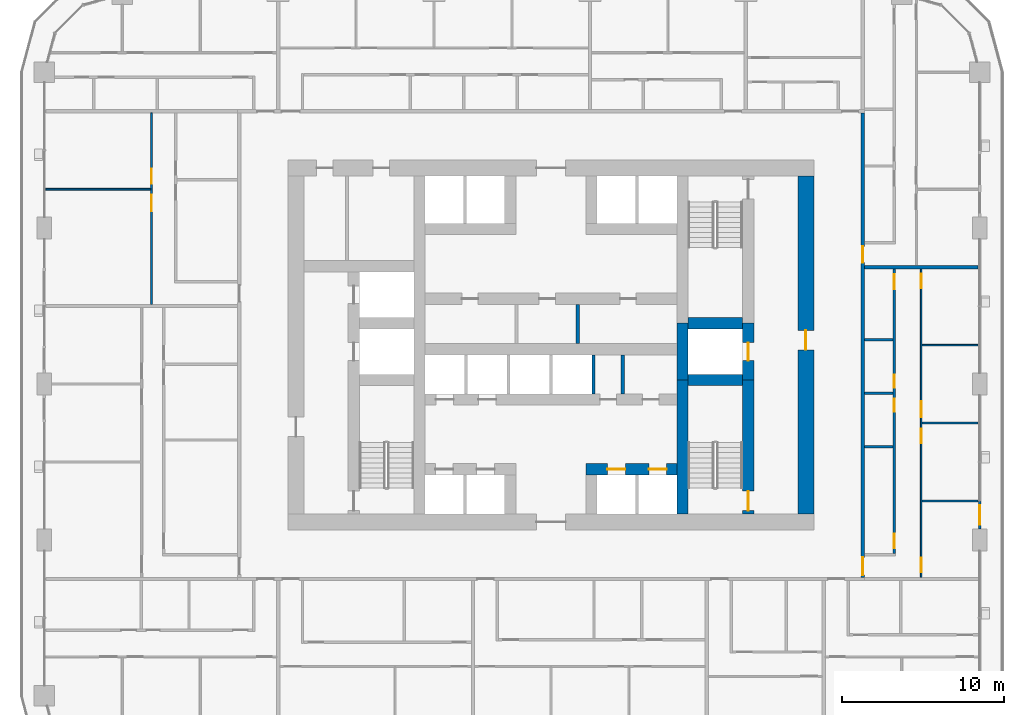
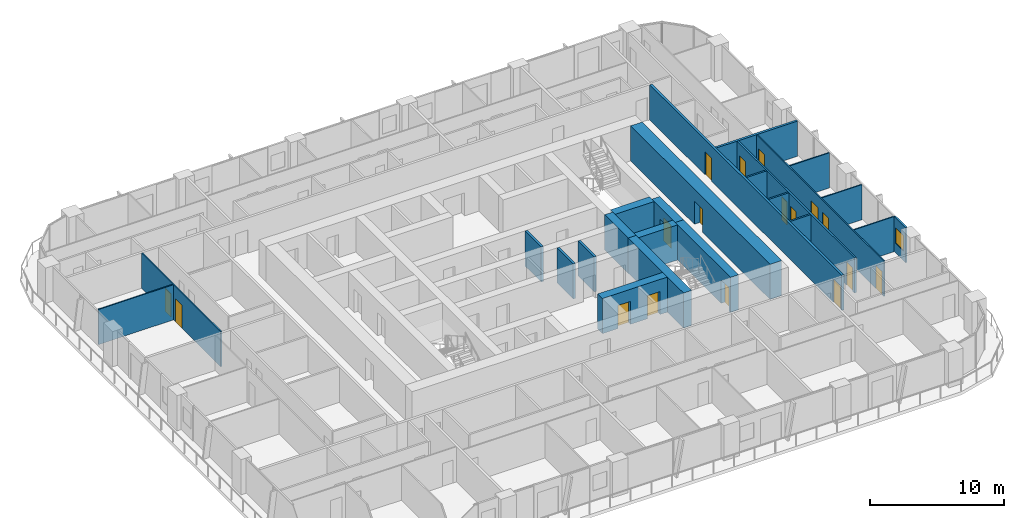
# One storey, part 12 of 21: 24 walls, 17 doors, 1 window, 18 openings.
"""IFC4 building model written with IfcOpenShell, lengths in metres."""

from ifc_helpers import new_model, si_unit, direction, frame, frame_2d, origin, place, context, subcontext, project, spatial, rectangle, extrude, material, layer, layer_set, type_object, element, fill, save


model = new_model("IFC4")

# Units and contexts
model_context = context("Model", 3, precision=1e-05, world=origin(), true_north=direction((0.0, 1.0)))
body_context = subcontext(model_context, "Body", "Model", "MODEL_VIEW")
ifc_project = project(units=[si_unit("LENGTHUNIT", "METRE"), si_unit("AREAUNIT", "SQUARE_METRE"), si_unit("VOLUMEUNIT", "CUBIC_METRE"), si_unit("PLANEANGLEUNIT", "RADIAN"), si_unit("MASSUNIT", "GRAM", prefix="KILO")], contexts=[model_context])

# Site, building, storey
site_placement = place(None, origin())
site = spatial("IfcSite", under=ifc_project, at=site_placement, CompositionType="ELEMENT")
building_placement = place(site_placement, origin())
building = spatial("IfcBuilding", under=site, at=building_placement, Name="Madar Terraces", CompositionType="ELEMENT")
storey_placement = place(building_placement, frame((0.0, 0.0, 32.89990234375)))
storey = spatial("IfcBuildingStorey", under=building, at=storey_placement, Name="L07", CompositionType="ELEMENT", Elevation=32.89990234375)

# Walls
ifc_material_1 = material(Name="Concrete C80/95", Category="concrete")
ifc_layer_1 = layer(ifc_material_1, 0.699951171875)
ifc_layer_set_1 = layer_set([ifc_layer_1], Name="Concrete C80/95 (CIW1 RC wall 700)")
wall_type_1 = type_object("IfcWallType", Name="CIW1 RC wall 700", PredefinedType="SHEAR", material=ifc_layer_set_1)
wall_1_placement = place(storey_placement, frame((39.300048828125, 16.0, 0.0), z_axis=(0.0, 0.0, 1.0), x_axis=(0.0, 1.0, 0.0)))
element("IfcWall", 1, at=wall_1_placement, inside=storey, type_object=wall_type_1, Name="CORE SHAFT WALL", PredefinedType="SHEAR", context=body_context, shape_type="SweptSolid", body=[
    extrude(rectangle(XDim=8.25, YDim=0.699951171875, at=frame_2d((4.125, 0.0))), origin(), (0.0, 0.0, 1.0), 3.2001953125),
])
wall_2_placement = place(storey_placement, frame((39.300048828125, 24.25, 0.0), z_axis=(0.0, 0.0, 1.0), x_axis=(0.0, 1.0, 0.0)))
element("IfcWall", 2, at=wall_2_placement, inside=storey, type_object=wall_type_1, Name="CORE SHAFT WALL", PredefinedType="SHEAR", context=body_context, shape_type="SweptSolid", body=[
    extrude(rectangle(XDim=3.5, YDim=0.699951171875, at=frame_2d((1.75, 0.0))), origin(), (0.0, 0.0, 1.0), 3.2001953125),
])

# Wall, opening, door
wall_3_placement = place(storey_placement, frame((43.35009765625, 16.0, 0.0), z_axis=(0.0, 0.0, 1.0), x_axis=(0.0, 1.0, 0.0)))
wall_3 = element("IfcWall", 3, at=wall_3_placement, inside=storey, type_object=wall_type_1, Name="CORE SHAFT WALL", PredefinedType="SHEAR", context=body_context, shape_type="SweptSolid", body=[
    extrude(rectangle(XDim=8.25, YDim=0.699951171875, at=frame_2d((4.125, 0.0))), origin(), (0.0, 0.0, 1.0), 3.2001953125),
])
opening_1_placement = place(wall_3_placement, frame((0.199951171875, 0.0, 0.0)))
opening_1 = element("IfcOpeningElement", 4, at=opening_1_placement, cuts=wall_3, Name="Opening SD1", PredefinedType="OPENING", context=body_context, shape_type="SweptSolid", body=[
    extrude(rectangle(XDim=1.199951171875, YDim=2.10009765625, at=frame_2d((0.60009765625, 1.050048828125))), frame((0.0, 0.35986328125, 0.0), z_axis=(0.0, -1.0, 0.0), x_axis=(1.0, 0.0, 0.0)), (0.0, 0.0, 1.0), 0.719970703125),
])
ifc_material_2 = material(Name="Steel door leaf", Category="steel")
door_type_1 = type_object("IfcDoorType", Name="Stair door 1200 x 2100", OperationType="NOTDEFINED", PredefinedType="DOOR", material=ifc_material_2)
door_1_placement = place(opening_1_placement, origin())
door_1 = element("IfcDoor", 5, at=door_1_placement, inside=storey, type_object=door_type_1, Name="STAIR DOOR", OperationType="SINGLE_SWING_RIGHT", OverallHeight=2.10009765625, OverallWidth=1.199951171875, PredefinedType="DOOR", context=body_context, shape_type="SweptSolid", body=[
    extrude(rectangle(XDim=1.199951171875, YDim=2.10009765625, at=frame_2d((0.60009765625, 1.050048828125))), frame((0.0, 0.02490234375, 0.0), z_axis=(0.0, -1.0, 0.0), x_axis=(1.0, 0.0, 0.0)), (0.0, 0.0, 1.0), 0.050048828125),
])
fill(opening_1, door_1)

wall_4_placement = place(storey_placement, frame((43.35009765625, 24.25, 0.0), z_axis=(0.0, 0.0, 1.0), x_axis=(0.0, 1.0, 0.0)))
wall_4 = element("IfcWall", 6, at=wall_4_placement, inside=storey, type_object=wall_type_1, Name="CORE SHAFT WALL", PredefinedType="SHEAR", context=body_context, shape_type="SweptSolid", body=[
    extrude(rectangle(XDim=3.5, YDim=0.699951171875, at=frame_2d((1.75, 0.0))), origin(), (0.0, 0.0, 1.0), 3.2001953125),
])
opening_2_placement = place(wall_4_placement, frame((1.199951171875, 0.0, 0.0)))
opening_2 = element("IfcOpeningElement", 7, at=opening_2_placement, cuts=wall_4, Name="Opening LD", PredefinedType="OPENING", context=body_context, shape_type="SweptSolid", body=[
    extrude(rectangle(XDim=1.10009765625, YDim=2.10009765625, at=frame_2d((0.550048828125, 1.050048828125))), frame((0.0, 0.35986328125, 0.0), z_axis=(0.0, -1.0, 0.0), x_axis=(1.0, 0.0, 0.0)), (0.0, 0.0, 1.0), 0.719970703125),
])
ifc_material_3 = material(Name="Stainless steel panel", Category="steel")
door_type_2 = type_object("IfcDoorType", Name="Lift landing door 1100 x 2100", OperationType="DOUBLE_DOOR_SLIDING", PredefinedType="DOOR", material=ifc_material_3)
door_2_placement = place(opening_2_placement, origin())
door_2 = element("IfcDoor", 8, at=door_2_placement, inside=storey, type_object=door_type_2, Name="LIFT LANDING DOOR", OperationType="DOUBLE_DOOR_SLIDING", OverallHeight=2.10009765625, OverallWidth=1.10009765625, PredefinedType="DOOR", context=body_context, shape_type="SweptSolid", body=[
    extrude(rectangle(XDim=1.10009765625, YDim=2.10009765625, at=frame_2d((0.550048828125, 1.050048828125))), frame((0.0, 0.02490234375, 0.0), z_axis=(0.0, -1.0, 0.0), x_axis=(1.0, 0.0, 0.0)), (0.0, 0.0, 1.0), 0.050048828125),
])
fill(opening_2, door_2)

# Walls
for number, where, z_axis, x_axis, name in (
    (9, (39.64990234375, 24.25, 0.0), (0.0, 0.0, 1.0), (1.0, 0.0, 0.0), "CORE SHAFT WALL"),
    (10, (39.64990234375, 27.75, 0.0), (0.0, 0.0, 1.0), (1.0, 0.0, 0.0), "CORE SHAFT WALL"),
):
    element("IfcWall", number, at=place(storey_placement, frame(where, z_axis=z_axis, x_axis=x_axis)), inside=storey, type_object=wall_type_1, Name=name, PredefinedType="SHEAR", context=body_context, shape_type="SweptSolid", body=[
        extrude(rectangle(XDim=3.35009765625, YDim=0.699951171875, at=frame_2d((1.675048828125, 0.0))), origin(), (0.0, 0.0, 1.0), 3.2001953125),
    ])

# Wall, openings, doors
wall_5_placement = place(storey_placement, frame((33.35009765625, 18.75, 0.0), z_axis=(0.0, 0.0, 1.0), x_axis=(1.0, 0.0, 0.0)))
wall_5 = element("IfcWall", 11, at=wall_5_placement, inside=storey, type_object=wall_type_1, Name="CORE SHAFT WALL", PredefinedType="SHEAR", context=body_context, shape_type="SweptSolid", body=[
    extrude(rectangle(XDim=5.599853515625, YDim=0.699951171875, at=frame_2d((2.7998046875, 0.0))), origin(), (0.0, 0.0, 1.0), 3.2001953125),
])
opening_3_placement = place(wall_5_placement, frame((1.324951171875, 0.0, 0.0)))
opening_3 = element("IfcOpeningElement", 12, at=opening_3_placement, cuts=wall_5, Name="Opening LD", PredefinedType="OPENING", context=body_context, shape_type="SweptSolid", body=[
    extrude(rectangle(XDim=1.10009765625, YDim=2.10009765625, at=frame_2d((0.550048828125, 1.050048828125))), frame((0.0, 0.35986328125, 0.0), z_axis=(0.0, -1.0, 0.0), x_axis=(1.0, 0.0, 0.0)), (0.0, 0.0, 1.0), 0.719970703125),
])
opening_4_placement = place(wall_5_placement, frame((3.875, 0.0, 0.0)))
opening_4 = element("IfcOpeningElement", 13, at=opening_4_placement, cuts=wall_5, Name="Opening LD", PredefinedType="OPENING", context=body_context, shape_type="SweptSolid", body=[
    extrude(rectangle(XDim=1.10009765625, YDim=2.10009765625, at=frame_2d((0.550048828125, 1.050048828125))), frame((0.0, 0.35986328125, 0.0), z_axis=(0.0, -1.0, 0.0), x_axis=(1.0, 0.0, 0.0)), (0.0, 0.0, 1.0), 0.719970703125),
])
door_3_placement = place(opening_3_placement, origin())
door_3 = element("IfcDoor", 14, at=door_3_placement, inside=storey, type_object=door_type_2, Name="LIFT LANDING DOOR", OperationType="DOUBLE_DOOR_SLIDING", OverallHeight=2.10009765625, OverallWidth=1.10009765625, PredefinedType="DOOR", context=body_context, shape_type="SweptSolid", body=[
    extrude(rectangle(XDim=1.10009765625, YDim=2.10009765625, at=frame_2d((0.550048828125, 1.050048828125))), frame((0.0, 0.02490234375, 0.0), z_axis=(0.0, -1.0, 0.0), x_axis=(1.0, 0.0, 0.0)), (0.0, 0.0, 1.0), 0.050048828125),
])
fill(opening_3, door_3)
door_4_placement = place(opening_4_placement, origin())
door_4 = element("IfcDoor", 15, at=door_4_placement, inside=storey, type_object=door_type_2, Name="LIFT LANDING DOOR", OperationType="DOUBLE_DOOR_SLIDING", OverallHeight=2.10009765625, OverallWidth=1.10009765625, PredefinedType="DOOR", context=body_context, shape_type="SweptSolid", body=[
    extrude(rectangle(XDim=1.10009765625, YDim=2.10009765625, at=frame_2d((0.550048828125, 1.050048828125))), frame((0.0, 0.02490234375, 0.0), z_axis=(0.0, -1.0, 0.0), x_axis=(1.0, 0.0, 0.0)), (0.0, 0.0, 1.0), 0.050048828125),
])
fill(opening_4, door_4)

# Wall, opening, door
ifc_material_4 = material(Name="Concrete C80/95", Category="concrete")
ifc_layer_2 = layer(ifc_material_4, 1.0)
ifc_layer_set_2 = layer_set([ifc_layer_2], Name="Concrete C80/95 (CRW1 RC wall 1000)")
wall_type_2 = type_object("IfcWallType", Name="CRW1 RC wall 1000", PredefinedType="SHEAR", material=ifc_layer_set_2)
wall_6_placement = place(storey_placement, frame((46.89990234375, 16.0, 0.0), z_axis=(0.0, 0.0, 1.0), x_axis=(0.0, 1.0, 0.0)))
wall_6 = element("IfcWall", 16, at=wall_6_placement, inside=storey, type_object=wall_type_2, Name="CORE OUTER WALL", PredefinedType="SHEAR", context=body_context, shape_type="SweptSolid", body=[
    extrude(rectangle(XDim=20.800048828125, YDim=1.0, at=frame_2d((10.39990234375, 0.0))), origin(), (0.0, 0.0, 1.0), 3.2001953125),
])
opening_5_placement = place(wall_6_placement, frame((10.10009765625, 0.0, 0.0)))
opening_5 = element("IfcOpeningElement", 17, at=opening_5_placement, cuts=wall_6, Name="Opening SD1", PredefinedType="OPENING", context=body_context, shape_type="SweptSolid", body=[
    extrude(rectangle(XDim=1.199951171875, YDim=2.10009765625, at=frame_2d((0.60009765625, 1.050048828125))), frame((0.0, 0.510009765625, 0.0), z_axis=(0.0, -1.0, 0.0), x_axis=(1.0, 0.0, 0.0)), (0.0, 0.0, 1.0), 1.02001953125),
])
door_5_placement = place(opening_5_placement, origin())
door_5 = element("IfcDoor", 18, at=door_5_placement, inside=storey, type_object=door_type_1, Name="STAIR DOOR", OperationType="SINGLE_SWING_LEFT", OverallHeight=2.10009765625, OverallWidth=1.199951171875, PredefinedType="DOOR", context=body_context, shape_type="SweptSolid", body=[
    extrude(rectangle(XDim=1.199951171875, YDim=2.10009765625, at=frame_2d((0.60009765625, 1.050048828125))), frame((0.0, 0.02490234375, 0.0), z_axis=(0.0, -1.0, 0.0), x_axis=(1.0, 0.0, 0.0)), (0.0, 0.0, 1.0), 0.050048828125),
])
fill(opening_5, door_5)

# Walls
ifc_material_5 = material(Name="Masonry blockwork", Category="masonry")
ifc_layer_3 = layer(ifc_material_5, 0.199951171875)
ifc_layer_set_3 = layer_set([ifc_layer_3], Name="Core partition 200 blockwork")
wall_type_3 = type_object("IfcWallType", Name="Core partition 200 blockwork", PredefinedType="PARTITIONING", material=ifc_layer_set_3)
wall_7_placement = place(storey_placement, frame((35.6279296875, 23.39990234375, 0.0), z_axis=(0.0, 0.0, 1.0), x_axis=(0.0, 1.0, 0.0)))
element("IfcWall", 19, at=wall_7_placement, inside=storey, type_object=wall_type_3, Name="SERVICE ROOM PARTITION", PredefinedType="PARTITIONING", context=body_context, shape_type="SweptSolid", body=[
    extrude(rectangle(XDim=2.400146484375, YDim=0.199951171875, at=frame_2d((1.2001953125, 0.0))), origin(), (0.0, 0.0, 1.0), 3.2001953125),
])
wall_8_placement = place(storey_placement, frame((32.853271484375, 26.5, 0.0), z_axis=(0.0, 0.0, 1.0), x_axis=(0.0, 1.0, 0.0)))
element("IfcWall", 20, at=wall_8_placement, inside=storey, type_object=wall_type_3, Name="SERVICE ROOM PARTITION", PredefinedType="PARTITIONING", context=body_context, shape_type="SweptSolid", body=[
    extrude(rectangle(XDim=2.39990234375, YDim=0.199951171875, at=frame_2d((1.199951171875, 0.0))), origin(), (0.0, 0.0, 1.0), 3.2001953125),
])
ifc_material_6 = material(Name="Concrete C40/50", Category="concrete")
ifc_layer_4 = layer(ifc_material_6, 0.199951171875)
ifc_layer_set_4 = layer_set([ifc_layer_4], Name="Core shaft dividing wall 200 C40/50")
wall_type_4 = type_object("IfcWallType", Name="Core shaft dividing wall 200 C40/50", PredefinedType="SOLIDWALL", material=ifc_layer_set_4)
wall_9_placement = place(storey_placement, frame((33.816650390625, 23.39990234375, 0.0), z_axis=(0.0, 0.0, 1.0), x_axis=(0.0, 1.0, 0.0)))
element("IfcWall", 21, at=wall_9_placement, inside=storey, type_object=wall_type_4, Name="SHAFT DIVIDING WALL", PredefinedType="SOLIDWALL", context=body_context, shape_type="SweptSolid", body=[
    extrude(rectangle(XDim=2.400146484375, YDim=0.199951171875, at=frame_2d((1.2001953125, 0.0))), origin(), (0.0, 0.0, 1.0), 3.2001953125),
])

# Wall, opening, window
ifc_material_7 = material(Name="Aluminium composite panel, black, over insulated backing", Category="aluminium")
ifc_layer_5 = layer(ifc_material_7, 0.14990234375)
ifc_layer_set_5 = layer_set([ifc_layer_5], Name="Facade bay panel 150")
wall_type_5 = type_object("IfcWallType", Name="Facade bay panel 150", PredefinedType="SOLIDWALL", material=ifc_layer_set_5)
wall_10_placement = place(storey_placement, frame((57.60009765625, 15.074951171875, 0.0), z_axis=(0.0, 0.0, 1.0), x_axis=(0.0, 1.0, 0.0)))
wall_10 = element("IfcWall", 22, at=wall_10_placement, inside=storey, type_object=wall_type_5, Name="Facade bay panel", PredefinedType="SOLIDWALL", context=body_context, shape_type="SweptSolid", body=[
    extrude(rectangle(XDim=1.72509765625, YDim=0.14990234375, at=frame_2d((0.862548828125, 0.0))), origin(), (0.0, 0.0, 1.0), 3.2001953125),
])
opening_6_placement = place(wall_10_placement, frame((0.262451171875, 0.0, 0.89990234375)))
opening_6 = element("IfcOpeningElement", 23, at=opening_6_placement, cuts=wall_10, Name="Opening W1", PredefinedType="OPENING", context=body_context, shape_type="SweptSolid", body=[
    extrude(rectangle(XDim=1.199951171875, YDim=1.39990234375, at=frame_2d((0.60009765625, 0.699951171875))), frame((0.0, 0.0849609375, 0.0), z_axis=(0.0, -1.0, 0.0), x_axis=(1.0, 0.0, 0.0)), (0.0, 0.0, 1.0), 0.169921875),
])
ifc_material_8 = material(Name="Glass, clear, with black aluminium frame", Category="aluminium")
window_type = type_object("IfcWindowType", Name="Vent window 1200 x 1400", PartitioningType="SINGLE_PANEL", PredefinedType="WINDOW", material=ifc_material_8)
window_placement = place(opening_6_placement, origin())
window = element("IfcWindow", 24, at=window_placement, inside=storey, type_object=window_type, Name="Operable vent window", OverallHeight=1.39990234375, OverallWidth=1.199951171875, PartitioningType="SINGLE_PANEL", PredefinedType="WINDOW", context=body_context, shape_type="SweptSolid", body=[
    extrude(rectangle(XDim=1.199951171875, YDim=1.39990234375, at=frame_2d((0.60009765625, 0.699951171875))), frame((0.0, 0.030029296875, 0.0), z_axis=(0.0, -1.0, 0.0), x_axis=(1.0, 0.0, 0.0)), (0.0, 0.0, 1.0), 0.06005859375),
])
fill(opening_6, window)

# Walls
ifc_material_9 = material(Name="Gypsum board on steel studs", Category="steel")
ifc_layer_6 = layer(ifc_material_9, 0.10009765625)
ifc_layer_set_6 = layer_set([ifc_layer_6], Name="Flat partition 100")
wall_type_6 = type_object("IfcWallType", Name="Flat partition 100", PredefinedType="PARTITIONING", material=ifc_layer_set_6)
for number, where, z_axis, x_axis, name in (
    (25, (54.050048828125, 16.800048828125, 0.0), (0.0, 0.0, 1.0), (1.0, 0.0, 0.0), "Flat partition 100"),
    (26, (54.050048828125, 21.60009765625, 0.0), (0.0, 0.0, 1.0), (1.0, 0.0, 0.0), "Flat partition 100"),
    (27, (54.050048828125, 26.39990234375, 0.0), (0.0, 0.0, 1.0), (1.0, 0.0, 0.0), "Flat partition 100"),
):
    element("IfcWall", number, at=place(storey_placement, frame(where, z_axis=z_axis, x_axis=x_axis)), inside=storey, type_object=wall_type_6, Name=name, PredefinedType="PARTITIONING", context=body_context, shape_type="SweptSolid", body=[
        extrude(rectangle(XDim=3.449951171875, YDim=0.10009765625, at=frame_2d((1.72509765625, 0.0))), origin(), (0.0, 0.0, 1.0), 3.2001953125),
    ])

# Wall, openings, doors
wall_11_placement = place(storey_placement, frame((54.0, 31.10009765625, 0.0), z_axis=(0.0, 0.0, 1.0), x_axis=(0.0, -1.0, 0.0)))
wall_11 = element("IfcWall", 28, at=wall_11_placement, inside=storey, type_object=wall_type_6, Name="Flat partition 100", PredefinedType="PARTITIONING", context=body_context, shape_type="SweptSolid", body=[
    extrude(rectangle(XDim=19.0, YDim=0.10009765625, at=frame_2d((9.5, 0.0))), origin(), (0.0, 0.0, 1.0), 3.2001953125),
])
opening_7_placement = place(wall_11_placement, frame((17.800048828125, 0.0, 0.0)))
opening_7 = element("IfcOpeningElement", 29, at=opening_7_placement, cuts=wall_11, Name="Opening D2", PredefinedType="OPENING", context=body_context, shape_type="SweptSolid", body=[
    extrude(rectangle(XDim=0.89990234375, YDim=2.10009765625, at=frame_2d((0.449951171875, 1.050048828125))), frame((0.0, 0.06005859375, 0.0), z_axis=(0.0, -1.0, 0.0), x_axis=(1.0, 0.0, 0.0)), (0.0, 0.0, 1.0), 0.1201171875),
])
opening_8_placement = place(wall_11_placement, frame((9.85009765625, 0.0, 0.0)))
opening_8 = element("IfcOpeningElement", 30, at=opening_8_placement, cuts=wall_11, Name="Opening D2", PredefinedType="OPENING", context=body_context, shape_type="SweptSolid", body=[
    extrude(rectangle(XDim=0.89990234375, YDim=2.10009765625, at=frame_2d((0.449951171875, 1.050048828125))), frame((0.0, 0.06005859375, 0.0), z_axis=(0.0, -1.0, 0.0), x_axis=(1.0, 0.0, 0.0)), (0.0, 0.0, 1.0), 0.1201171875),
])
opening_9_placement = place(wall_11_placement, frame((8.14990234375, 0.0, 0.0)))
opening_9 = element("IfcOpeningElement", 31, at=opening_9_placement, cuts=wall_11, Name="Opening D3", PredefinedType="OPENING", context=body_context, shape_type="SweptSolid", body=[
    extrude(rectangle(XDim=1.0, YDim=2.10009765625, at=frame_2d((0.5, 1.050048828125))), frame((0.0, 0.06005859375, 0.0), z_axis=(0.0, -1.0, 0.0), x_axis=(1.0, 0.0, 0.0)), (0.0, 0.0, 1.0), 0.1201171875),
])
opening_10_placement = place(wall_11_placement, frame((0.300048828125, 0.0, 0.0)))
opening_10 = element("IfcOpeningElement", 32, at=opening_10_placement, cuts=wall_11, Name="Opening D2", PredefinedType="OPENING", context=body_context, shape_type="SweptSolid", body=[
    extrude(rectangle(XDim=0.89990234375, YDim=2.10009765625, at=frame_2d((0.449951171875, 1.050048828125))), frame((0.0, 0.06005859375, 0.0), z_axis=(0.0, -1.0, 0.0), x_axis=(1.0, 0.0, 0.0)), (0.0, 0.0, 1.0), 0.1201171875),
])
ifc_material_10 = material(Name="Timber door leaf", Category="wood")
door_type_3 = type_object("IfcDoorType", Name="Flat living room door 1000", OperationType="NOTDEFINED", PredefinedType="DOOR", material=ifc_material_10)
door_6_placement = place(opening_9_placement, origin())
door_6 = element("IfcDoor", 33, at=door_6_placement, inside=storey, type_object=door_type_3, Name="Flat living room door 1000", OperationType="SINGLE_SWING_RIGHT", OverallHeight=2.10009765625, OverallWidth=1.0, PredefinedType="DOOR", context=body_context, shape_type="SweptSolid", body=[
    extrude(rectangle(XDim=1.0, YDim=2.10009765625, at=frame_2d((0.5, 1.050048828125))), frame((0.0, 0.02490234375, 0.0), z_axis=(0.0, -1.0, 0.0), x_axis=(1.0, 0.0, 0.0)), (0.0, 0.0, 1.0), 0.050048828125),
])
fill(opening_9, door_6)
ifc_material_11 = material(Name="Timber door leaf", Category="wood")
door_type_4 = type_object("IfcDoorType", Name="Flat room door 900", OperationType="NOTDEFINED", PredefinedType="DOOR", material=ifc_material_11)
door_7_placement = place(opening_7_placement, origin())
door_7 = element("IfcDoor", 34, at=door_7_placement, inside=storey, type_object=door_type_4, Name="Flat room door 900", OperationType="SINGLE_SWING_RIGHT", OverallHeight=2.10009765625, OverallWidth=0.89990234375, PredefinedType="DOOR", context=body_context, shape_type="SweptSolid", body=[
    extrude(rectangle(XDim=0.89990234375, YDim=2.10009765625, at=frame_2d((0.449951171875, 1.050048828125))), frame((0.0, 0.02490234375, 0.0), z_axis=(0.0, -1.0, 0.0), x_axis=(1.0, 0.0, 0.0)), (0.0, 0.0, 1.0), 0.050048828125),
])
fill(opening_7, door_7)
door_8_placement = place(opening_8_placement, origin())
door_8 = element("IfcDoor", 35, at=door_8_placement, inside=storey, type_object=door_type_4, Name="Flat room door 900", OperationType="SINGLE_SWING_LEFT", OverallHeight=2.10009765625, OverallWidth=0.89990234375, PredefinedType="DOOR", context=body_context, shape_type="SweptSolid", body=[
    extrude(rectangle(XDim=0.89990234375, YDim=2.10009765625, at=frame_2d((0.449951171875, 1.050048828125))), frame((0.0, 0.02490234375, 0.0), z_axis=(0.0, -1.0, 0.0), x_axis=(1.0, 0.0, 0.0)), (0.0, 0.0, 1.0), 0.050048828125),
])
fill(opening_8, door_8)
door_9_placement = place(opening_10_placement, origin())
door_9 = element("IfcDoor", 36, at=door_9_placement, inside=storey, type_object=door_type_4, Name="Flat room door 900", OperationType="SINGLE_SWING_LEFT", OverallHeight=2.10009765625, OverallWidth=0.89990234375, PredefinedType="DOOR", context=body_context, shape_type="SweptSolid", body=[
    extrude(rectangle(XDim=0.89990234375, YDim=2.10009765625, at=frame_2d((0.449951171875, 1.050048828125))), frame((0.0, 0.02490234375, 0.0), z_axis=(0.0, -1.0, 0.0), x_axis=(1.0, 0.0, 0.0)), (0.0, 0.0, 1.0), 0.050048828125),
])
fill(opening_10, door_9)

# Wall
wall_12_placement = place(storey_placement, frame((6.550048828125, 36.0, 0.0), z_axis=(0.0, 0.0, 1.0), x_axis=(-1.0, 0.0, 0.0)))
element("IfcWall", 37, at=wall_12_placement, inside=storey, type_object=wall_type_6, Name="Flat partition 100", PredefinedType="PARTITIONING", context=body_context, shape_type="SweptSolid", body=[
    extrude(rectangle(XDim=6.449951171875, YDim=0.10009765625, at=frame_2d((3.22509765625, 0.0))), origin(), (0.0, 0.0, 1.0), 3.2001953125),
])

# Wall, openings, doors
wall_13_placement = place(storey_placement, frame((6.60009765625, 28.89990234375, 0.0), z_axis=(0.0, 0.0, 1.0), x_axis=(0.0, 1.0, 0.0)))
wall_13 = element("IfcWall", 38, at=wall_13_placement, inside=storey, type_object=wall_type_6, Name="Flat partition 100", PredefinedType="PARTITIONING", context=body_context, shape_type="SweptSolid", body=[
    extrude(rectangle(XDim=11.800048828125, YDim=0.10009765625, at=frame_2d((5.89990234375, 0.0))), origin(), (0.0, 0.0, 1.0), 3.2001953125),
])
opening_11_placement = place(wall_13_placement, frame((5.75, 0.0, 0.0)))
opening_11 = element("IfcOpeningElement", 39, at=opening_11_placement, cuts=wall_13, Name="Opening D3", PredefinedType="OPENING", context=body_context, shape_type="SweptSolid", body=[
    extrude(rectangle(XDim=1.0, YDim=2.10009765625, at=frame_2d((0.5, 1.050048828125))), frame((0.0, 0.06005859375, 0.0), z_axis=(0.0, -1.0, 0.0), x_axis=(1.0, 0.0, 0.0)), (0.0, 0.0, 1.0), 0.1201171875),
])
opening_12_placement = place(wall_13_placement, frame((7.449951171875, 0.0, 0.0)))
opening_12 = element("IfcOpeningElement", 40, at=opening_12_placement, cuts=wall_13, Name="Opening D2", PredefinedType="OPENING", context=body_context, shape_type="SweptSolid", body=[
    extrude(rectangle(XDim=0.89990234375, YDim=2.10009765625, at=frame_2d((0.449951171875, 1.050048828125))), frame((0.0, 0.06005859375, 0.0), z_axis=(0.0, -1.0, 0.0), x_axis=(1.0, 0.0, 0.0)), (0.0, 0.0, 1.0), 0.1201171875),
])
door_10_placement = place(opening_11_placement, origin())
door_10 = element("IfcDoor", 41, at=door_10_placement, inside=storey, type_object=door_type_3, Name="Flat living room door 1000", OperationType="SINGLE_SWING_RIGHT", OverallHeight=2.10009765625, OverallWidth=1.0, PredefinedType="DOOR", context=body_context, shape_type="SweptSolid", body=[
    extrude(rectangle(XDim=1.0, YDim=2.10009765625, at=frame_2d((0.5, 1.050048828125))), frame((0.0, 0.02490234375, 0.0), z_axis=(0.0, -1.0, 0.0), x_axis=(1.0, 0.0, 0.0)), (0.0, 0.0, 1.0), 0.050048828125),
])
fill(opening_11, door_10)
door_11_placement = place(opening_12_placement, origin())
door_11 = element("IfcDoor", 42, at=door_11_placement, inside=storey, type_object=door_type_4, Name="Flat room door 900", OperationType="SINGLE_SWING_LEFT", OverallHeight=2.10009765625, OverallWidth=0.89990234375, PredefinedType="DOOR", context=body_context, shape_type="SweptSolid", body=[
    extrude(rectangle(XDim=0.89990234375, YDim=2.10009765625, at=frame_2d((0.449951171875, 1.050048828125))), frame((0.0, 0.02490234375, 0.0), z_axis=(0.0, -1.0, 0.0), x_axis=(1.0, 0.0, 0.0)), (0.0, 0.0, 1.0), 0.050048828125),
])
fill(opening_12, door_11)

ifc_material_12 = material(Name="Lightweight blockwork", Category="masonry")
ifc_layer_7 = layer(ifc_material_12, 0.199951171875)
ifc_layer_set_7 = layer_set([ifc_layer_7], Name="Flat party and entrance wall 200")
wall_type_7 = type_object("IfcWallType", Name="Flat party and entrance wall 200", PredefinedType="PARTITIONING", material=ifc_layer_set_7)
wall_14_placement = place(storey_placement, frame((50.39990234375, 40.699951171875, 0.0), z_axis=(0.0, 0.0, 1.0), x_axis=(0.0, -1.0, 0.0)))
wall_14 = element("IfcWall", 43, at=wall_14_placement, inside=storey, type_object=wall_type_7, Name="Flat party and entrance wall 200", PredefinedType="PARTITIONING", context=body_context, shape_type="SweptSolid", body=[
    extrude(rectangle(XDim=28.599853515625, YDim=0.199951171875, at=frame_2d((14.2998046875, 0.0))), origin(), (0.0, 0.0, 1.0), 3.2001953125),
])
opening_13_placement = place(wall_14_placement, frame((27.375, 0.0, 0.0)))
opening_13 = element("IfcOpeningElement", 44, at=opening_13_placement, cuts=wall_14, Name="Opening D6", PredefinedType="OPENING", context=body_context, shape_type="SweptSolid", body=[
    extrude(rectangle(XDim=1.10009765625, YDim=2.10009765625, at=frame_2d((0.550048828125, 1.050048828125))), frame((0.0, 0.10986328125, 0.0), z_axis=(0.0, -1.0, 0.0), x_axis=(1.0, 0.0, 0.0)), (0.0, 0.0, 1.0), 0.219970703125),
])
opening_14_placement = place(wall_14_placement, frame((8.22509765625, 0.0, 0.0)))
opening_14 = element("IfcOpeningElement", 45, at=opening_14_placement, cuts=wall_14, Name="Opening D1", PredefinedType="OPENING", context=body_context, shape_type="SweptSolid", body=[
    extrude(rectangle(XDim=1.0, YDim=2.10009765625, at=frame_2d((0.5, 1.050048828125))), frame((0.0, 0.10986328125, 0.0), z_axis=(0.0, -1.0, 0.0), x_axis=(1.0, 0.0, 0.0)), (0.0, 0.0, 1.0), 0.219970703125),
])
ifc_material_13 = material(Name="Timber fire door leaf", Category="wood")
door_type_5 = type_object("IfcDoorType", Name="Flat entrance door 1000 FD30S", OperationType="NOTDEFINED", PredefinedType="DOOR", material=ifc_material_13)
door_12_placement = place(opening_14_placement, origin())
door_12 = element("IfcDoor", 46, at=door_12_placement, inside=storey, type_object=door_type_5, Name="Flat entrance door 1000 FD30S", OperationType="SINGLE_SWING_RIGHT", OverallHeight=2.10009765625, OverallWidth=1.0, PredefinedType="DOOR", context=body_context, shape_type="SweptSolid", body=[
    extrude(rectangle(XDim=1.0, YDim=2.10009765625, at=frame_2d((0.5, 1.050048828125))), frame((0.0, 0.02490234375, 0.0), z_axis=(0.0, -1.0, 0.0), x_axis=(1.0, 0.0, 0.0)), (0.0, 0.0, 1.0), 0.050048828125),
])
fill(opening_14, door_12)
ifc_material_14 = material(Name="Timber fire door leaf", Category="wood")
door_type_6 = type_object("IfcDoorType", Name="Flat entrance door 1100 FD30S", OperationType="NOTDEFINED", PredefinedType="DOOR", material=ifc_material_14)
door_13_placement = place(opening_13_placement, origin())
door_13 = element("IfcDoor", 47, at=door_13_placement, inside=storey, type_object=door_type_6, Name="Flat entrance door 1100 FD30S", OperationType="SINGLE_SWING_RIGHT", OverallHeight=2.10009765625, OverallWidth=1.10009765625, PredefinedType="DOOR", context=body_context, shape_type="SweptSolid", body=[
    extrude(rectangle(XDim=1.10009765625, YDim=2.10009765625, at=frame_2d((0.550048828125, 1.050048828125))), frame((0.0, 0.02490234375, 0.0), z_axis=(0.0, -1.0, 0.0), x_axis=(1.0, 0.0, 0.0)), (0.0, 0.0, 1.0), 0.050048828125),
])
fill(opening_13, door_13)

# Walls
wall_15_placement = place(storey_placement, frame((50.5, 31.199951171875, 0.0), z_axis=(0.0, 0.0, 1.0), x_axis=(1.0, 0.0, 0.0)))
element("IfcWall", 48, at=wall_15_placement, inside=storey, type_object=wall_type_7, Name="Flat party and entrance wall 200", PredefinedType="PARTITIONING", context=body_context, shape_type="SweptSolid", body=[
    extrude(rectangle(XDim=7.0, YDim=0.199951171875, at=frame_2d((3.5, 0.0))), origin(), (0.0, 0.0, 1.0), 3.2001953125),
])
ifc_material_15 = material(Name="Lightweight blockwork", Category="masonry")
ifc_layer_8 = layer(ifc_material_15, 0.14990234375)
ifc_layer_set_8 = layer_set([ifc_layer_8], Name="Flat wet-room partition 150")
wall_type_8 = type_object("IfcWallType", Name="Flat wet-room partition 150", PredefinedType="PARTITIONING", material=ifc_layer_set_8)
for number, where, z_axis, x_axis, name in (
    (49, (50.5, 20.14697265625, 0.0), (0.0, 0.0, 1.0), (1.0, 0.0, 0.0), "Flat wet-room partition 150"),
    (50, (50.5, 23.432861328125, 0.0), (0.0, 0.0, 1.0), (1.0, 0.0, 0.0), "Flat wet-room partition 150"),
    (51, (50.5, 26.71875, 0.0), (0.0, 0.0, 1.0), (1.0, 0.0, 0.0), "Flat wet-room partition 150"),
):
    element("IfcWall", number, at=place(storey_placement, frame(where, z_axis=z_axis, x_axis=x_axis)), inside=storey, type_object=wall_type_8, Name=name, PredefinedType="PARTITIONING", context=body_context, shape_type="SweptSolid", body=[
        extrude(rectangle(XDim=1.77490234375, YDim=0.14990234375, at=frame_2d((0.887451171875, 0.0))), origin(), (0.0, 0.0, 1.0), 3.2001953125),
    ])

# Wall, openings, doors
wall_16_placement = place(storey_placement, frame((52.35009765625, 13.574951171875, 0.0), z_axis=(0.0, 0.0, 1.0), x_axis=(0.0, 1.0, 0.0)))
wall_16 = element("IfcWall", 52, at=wall_16_placement, inside=storey, type_object=wall_type_8, Name="Flat wet-room partition 150", PredefinedType="PARTITIONING", context=body_context, shape_type="SweptSolid", body=[
    extrude(rectangle(XDim=17.525146484375, YDim=0.14990234375, at=frame_2d((8.7626953125, 0.0))), origin(), (0.0, 0.0, 1.0), 3.2001953125),
])
opening_15_placement = place(wall_16_placement, frame((0.300048828125, 0.0, 0.0)))
opening_15 = element("IfcOpeningElement", 53, at=opening_15_placement, cuts=wall_16, Name="Opening D2", PredefinedType="OPENING", context=body_context, shape_type="SweptSolid", body=[
    extrude(rectangle(XDim=0.89990234375, YDim=2.10009765625, at=frame_2d((0.449951171875, 1.050048828125))), frame((0.0, 0.0849609375, 0.0), z_axis=(0.0, -1.0, 0.0), x_axis=(1.0, 0.0, 0.0)), (0.0, 0.0, 1.0), 0.169921875),
])
opening_16_placement = place(wall_16_placement, frame((8.73291015625, 0.0, 0.0)))
opening_16 = element("IfcOpeningElement", 54, at=opening_16_placement, cuts=wall_16, Name="Opening D4", PredefinedType="OPENING", context=body_context, shape_type="SweptSolid", body=[
    extrude(rectangle(XDim=0.800048828125, YDim=2.10009765625, at=frame_2d((0.39990234375, 1.050048828125))), frame((0.0, 0.0849609375, 0.0), z_axis=(0.0, -1.0, 0.0), x_axis=(1.0, 0.0, 0.0)), (0.0, 0.0, 1.0), 0.169921875),
])
opening_17_placement = place(wall_16_placement, frame((10.182861328125, 0.0, 0.0)))
opening_17 = element("IfcOpeningElement", 55, at=opening_17_placement, cuts=wall_16, Name="Opening D7", PredefinedType="OPENING", context=body_context, shape_type="SweptSolid", body=[
    extrude(rectangle(XDim=0.800048828125, YDim=2.10009765625, at=frame_2d((0.39990234375, 1.050048828125))), frame((0.0, 0.0849609375, 0.0), z_axis=(0.0, -1.0, 0.0), x_axis=(1.0, 0.0, 0.0)), (0.0, 0.0, 1.0), 0.169921875),
])
opening_18_placement = place(wall_16_placement, frame((16.27490234375, 0.0, 0.0)))
opening_18 = element("IfcOpeningElement", 56, at=opening_18_placement, cuts=wall_16, Name="Opening D5", PredefinedType="OPENING", context=body_context, shape_type="SweptSolid", body=[
    extrude(rectangle(XDim=0.89990234375, YDim=2.10009765625, at=frame_2d((0.449951171875, 1.050048828125))), frame((0.0, 0.0849609375, 0.0), z_axis=(0.0, -1.0, 0.0), x_axis=(1.0, 0.0, 0.0)), (0.0, 0.0, 1.0), 0.169921875),
])
ifc_material_16 = material(Name="Timber door leaf", Category="wood")
door_type_7 = type_object("IfcDoorType", Name="Flat accessible bathroom door 900", OperationType="NOTDEFINED", PredefinedType="DOOR", material=ifc_material_16)
door_14_placement = place(opening_18_placement, origin())
door_14 = element("IfcDoor", 57, at=door_14_placement, inside=storey, type_object=door_type_7, Name="Flat accessible bathroom door 900", OperationType="SINGLE_SWING_RIGHT", OverallHeight=2.10009765625, OverallWidth=0.89990234375, PredefinedType="DOOR", context=body_context, shape_type="SweptSolid", body=[
    extrude(rectangle(XDim=0.89990234375, YDim=2.10009765625, at=frame_2d((0.449951171875, 1.050048828125))), frame((0.0, 0.02490234375, 0.0), z_axis=(0.0, -1.0, 0.0), x_axis=(1.0, 0.0, 0.0)), (0.0, 0.0, 1.0), 0.050048828125),
])
fill(opening_18, door_14)
ifc_material_17 = material(Name="Timber door leaf", Category="wood")
door_type_8 = type_object("IfcDoorType", Name="Flat bathroom door 800", OperationType="NOTDEFINED", PredefinedType="DOOR", material=ifc_material_17)
door_15_placement = place(opening_16_placement, origin())
door_15 = element("IfcDoor", 58, at=door_15_placement, inside=storey, type_object=door_type_8, Name="Flat bathroom door 800", OperationType="SINGLE_SWING_RIGHT", OverallHeight=2.10009765625, OverallWidth=0.800048828125, PredefinedType="DOOR", context=body_context, shape_type="SweptSolid", body=[
    extrude(rectangle(XDim=0.800048828125, YDim=2.10009765625, at=frame_2d((0.39990234375, 1.050048828125))), frame((0.0, 0.02490234375, 0.0), z_axis=(0.0, -1.0, 0.0), x_axis=(1.0, 0.0, 0.0)), (0.0, 0.0, 1.0), 0.050048828125),
])
fill(opening_16, door_15)
door_16_placement = place(opening_15_placement, origin())
door_16 = element("IfcDoor", 59, at=door_16_placement, inside=storey, type_object=door_type_4, Name="Flat room door 900", OperationType="SINGLE_SWING_LEFT", OverallHeight=2.10009765625, OverallWidth=0.89990234375, PredefinedType="DOOR", context=body_context, shape_type="SweptSolid", body=[
    extrude(rectangle(XDim=0.89990234375, YDim=2.10009765625, at=frame_2d((0.449951171875, 1.050048828125))), frame((0.0, 0.02490234375, 0.0), z_axis=(0.0, -1.0, 0.0), x_axis=(1.0, 0.0, 0.0)), (0.0, 0.0, 1.0), 0.050048828125),
])
fill(opening_15, door_16)
ifc_material_18 = material(Name="Timber door leaf", Category="wood")
door_type_9 = type_object("IfcDoorType", Name="Flat utility door 800", OperationType="NOTDEFINED", PredefinedType="DOOR", material=ifc_material_18)
door_17_placement = place(opening_17_placement, origin())
door_17 = element("IfcDoor", 60, at=door_17_placement, inside=storey, type_object=door_type_9, Name="Flat utility door 800", OperationType="SINGLE_SWING_LEFT", OverallHeight=2.10009765625, OverallWidth=0.800048828125, PredefinedType="DOOR", context=body_context, shape_type="SweptSolid", body=[
    extrude(rectangle(XDim=0.800048828125, YDim=2.10009765625, at=frame_2d((0.39990234375, 1.050048828125))), frame((0.0, 0.02490234375, 0.0), z_axis=(0.0, -1.0, 0.0), x_axis=(1.0, 0.0, 0.0)), (0.0, 0.0, 1.0), 0.050048828125),
])
fill(opening_17, door_17)

save(model, "model.ifc")
